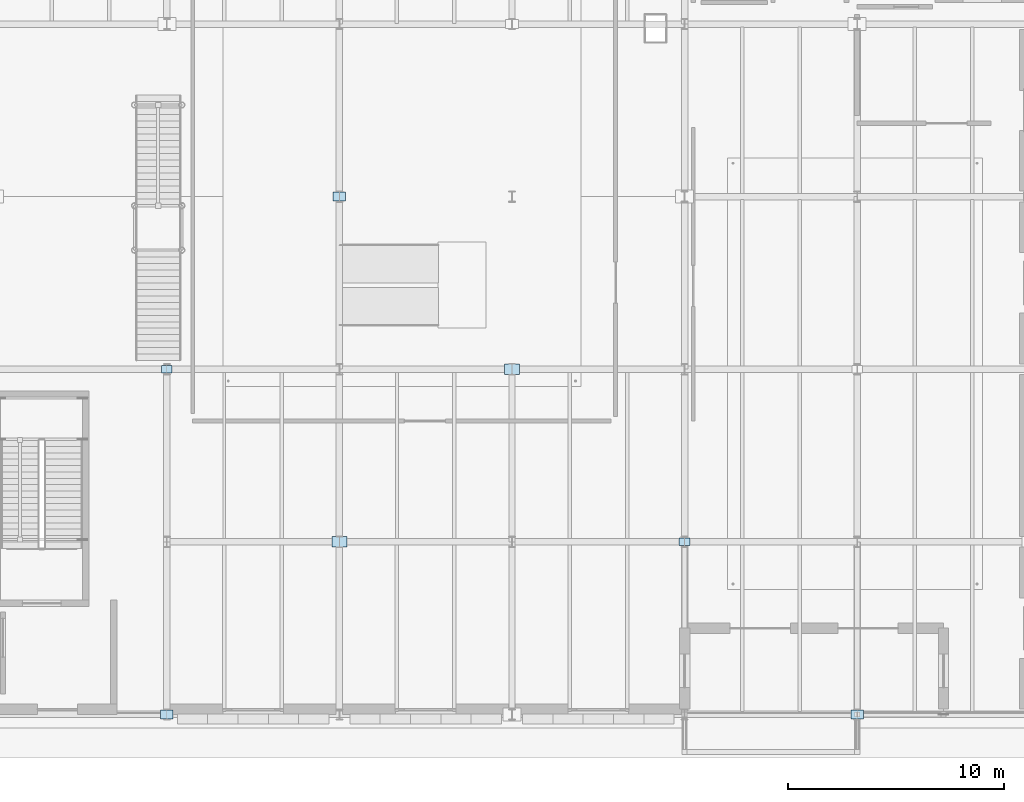
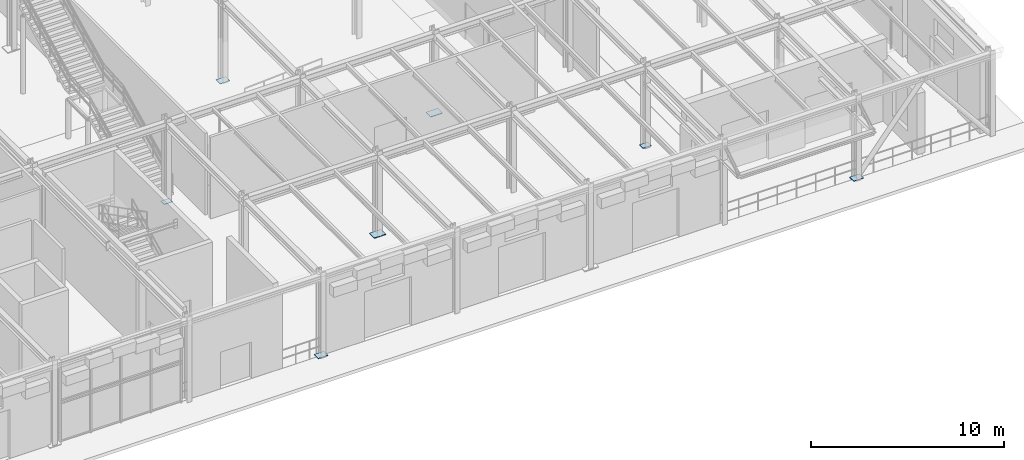
# One storey, part 71 of 129: 7 plates.
"""IFC4 building model written with IfcOpenShell, lengths in metres."""

from ifc_helpers import new_model, si_unit, direction, frame, origin, origin_2d, place, context, subcontext, project, spatial, rectangle, extrude, material, layer, layer_set, type_object, element, save


model = new_model("IFC4")

# Units and contexts
model_context = context("Model", 3, precision=1e-05, world=origin(), true_north=direction((0.0, 1.0)))
body_context = subcontext(model_context, "Body", "Model", "MODEL_VIEW")
ifc_project = project(units=[si_unit("LENGTHUNIT", "METRE"), si_unit("AREAUNIT", "SQUARE_METRE"), si_unit("VOLUMEUNIT", "CUBIC_METRE"), si_unit("PLANEANGLEUNIT", "RADIAN"), si_unit("MASSUNIT", "GRAM", prefix="KILO")], contexts=[model_context])

# Site, building, storey
site_placement = place(None, origin())
site = spatial("IfcSite", under=ifc_project, at=site_placement, CompositionType="ELEMENT")
building_placement = place(site_placement, origin())
building = spatial("IfcBuilding", under=site, at=building_placement, Name="Sundkrona Museum", CompositionType="ELEMENT")
storey_placement = place(building_placement, origin())
storey = spatial("IfcBuildingStorey", under=building, at=storey_placement, Name="L00", CompositionType="ELEMENT", Elevation=0.0)

# Plates
ifc_material = material(Name="Steel S355J2", Category="steel")
ifc_layer_1 = layer(ifc_material, 0.044921875)
ifc_layer_set_1 = layer_set([ifc_layer_1], Name="Steel S355J2")
plate_type_1 = type_object("IfcPlateType", Name="BP-2", PredefinedType="USERDEFINED", material=ifc_layer_set_1)
for number, where, z_axis, x_axis, name in (
    (1, (136.0, 8.0, 0.0), (0.0, 0.0, 1.0), (1.0, 0.0, 0.0), "Column Base Plate B/18"),
    (2, (144.0, 16.0, 0.0), (0.0, 0.0, 1.0), (1.0, 0.0, 0.0), "Column Base Plate C/19"),
):
    element("IfcPlate", number, at=place(storey_placement, frame(where, z_axis=z_axis, x_axis=x_axis)), inside=storey, type_object=plate_type_1, Name=name, ObjectType="GUSSET PLATE", PredefinedType="USERDEFINED", context=body_context, shape_type="SweptSolid", body=[
        extrude(rectangle(XDim=0.699951171875, YDim=0.5, at=origin_2d()), origin(), (0.0, 0.0, 1.0), 0.044921875),
    ])
ifc_layer_2 = layer(ifc_material, 0.0380859375)
ifc_layer_set_2 = layer_set([ifc_layer_2], Name="Steel S355J2")
plate_type_2 = type_object("IfcPlateType", Name="BP-3", PredefinedType="USERDEFINED", material=ifc_layer_set_2)
for number, where, z_axis, x_axis, name in (
    (3, (128.0, 0.0, 0.0), (0.0, 0.0, 1.0), (1.0, 0.0, 0.0), "Column Base Plate A/17"),
    (4, (136.0, 24.0, 0.0), (0.0, 0.0, 1.0), (1.0, 0.0, 0.0), "Column Base Plate D/18"),
    (5, (160.0, 0.0, 0.0), (0.0, 0.0, 1.0), (1.0, 0.0, 0.0), "Column Base Plate A/21"),
):
    element("IfcPlate", number, at=place(storey_placement, frame(where, z_axis=z_axis, x_axis=x_axis)), inside=storey, type_object=plate_type_2, Name=name, ObjectType="GUSSET PLATE", PredefinedType="USERDEFINED", context=body_context, shape_type="SweptSolid", body=[
        extrude(rectangle(XDim=0.580078125, YDim=0.419921875, at=origin_2d()), origin(), (0.0, 0.0, 1.0), 0.0380859375),
    ])
ifc_layer_3 = layer(ifc_material, 0.031982421875)
ifc_layer_set_3 = layer_set([ifc_layer_3], Name="Steel S355J2")
plate_type_3 = type_object("IfcPlateType", Name="BP-4", PredefinedType="USERDEFINED", material=ifc_layer_set_3)
for number, where, z_axis, x_axis, name in (
    (6, (128.0, 16.0, 0.0), (0.0, 0.0, 1.0), (1.0, 0.0, 0.0), "Column Base Plate C/17"),
    (7, (152.0, 8.0, 0.0), (0.0, 0.0, 1.0), (1.0, 0.0, 0.0), "Column Base Plate B/20"),
):
    element("IfcPlate", number, at=place(storey_placement, frame(where, z_axis=z_axis, x_axis=x_axis)), inside=storey, type_object=plate_type_3, Name=name, ObjectType="GUSSET PLATE", PredefinedType="USERDEFINED", context=body_context, shape_type="SweptSolid", body=[
        extrude(rectangle(XDim=0.5, YDim=0.360107421875, at=origin_2d()), origin(), (0.0, 0.0, 1.0), 0.031982421875),
    ])

save(model, "model.ifc")
